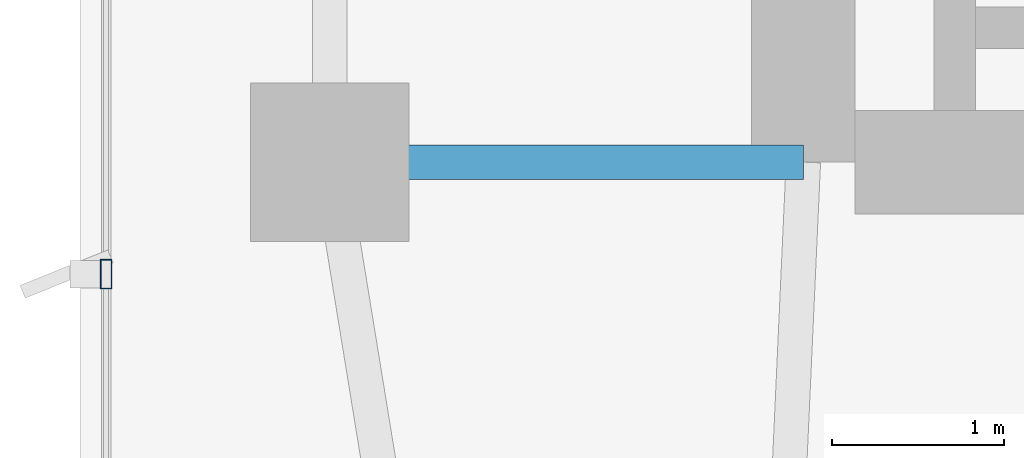
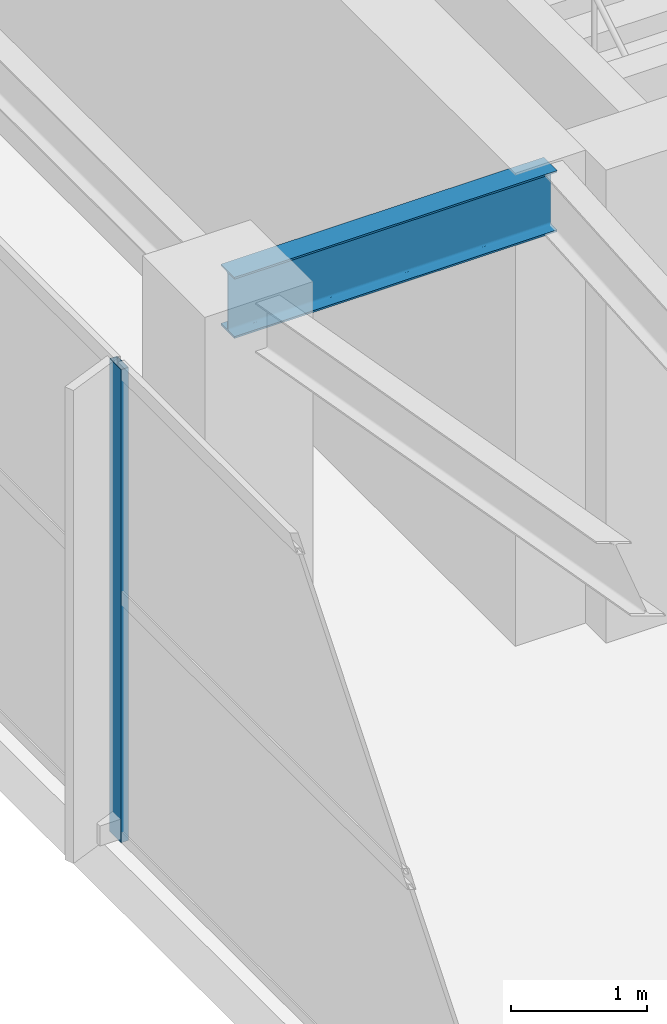
# One storey, part 5 of 25: 1 beam, 1 member, 1 element without a shape of its own.
"""IFC4 building model written with IfcOpenShell, lengths in metres."""

from ifc_helpers import new_model, si_unit, direction, frame, origin, origin_2d, place, context, subcontext, project, spatial, hollow_rectangle, i_section, extrude, material, layer, layer_set, material_profile, profile_set, type_object, element, aggregate, save


model = new_model("IFC4")

# Units and contexts
model_context = context("Model", 3, precision=1e-05, world=origin(), true_north=direction((0.0, 1.0)))
body_context = subcontext(model_context, "Body", "Model", "MODEL_VIEW")
ifc_project = project(units=[si_unit("LENGTHUNIT", "METRE"), si_unit("AREAUNIT", "SQUARE_METRE"), si_unit("VOLUMEUNIT", "CUBIC_METRE"), si_unit("PLANEANGLEUNIT", "RADIAN"), si_unit("MASSUNIT", "GRAM", prefix="KILO")], contexts=[model_context])

# Site, building, storey
site_placement = place(None, origin())
site = spatial("IfcSite", under=ifc_project, at=site_placement, CompositionType="ELEMENT")
building_placement = place(site_placement, origin())
building = spatial("IfcBuilding", under=site, at=building_placement, Name="Calvorn Quay Hotel", CompositionType="ELEMENT")
storey_placement = place(building_placement, frame((0.0, 0.0, 307.0)))
storey = spatial("IfcBuildingStorey", under=building, at=storey_placement, Name="L76", CompositionType="ELEMENT", Elevation=307.0)

# Beam
ifc_material_1 = material(Name="Steel Q355B", Category="steel")
ifc_material_profile_1 = material_profile(ifc_material_1, i_section(OverallWidth=0.199951171875, OverallDepth=0.550048828125, WebThickness=0.010009765625, FlangeThickness=0.01611328125, FilletRadius=0.01806640625, at=origin_2d()), Name="HN550x200x10x16")
ifc_profile_set_1 = profile_set([ifc_material_profile_1], Name="Steel Q355B")
beam_type = type_object("IfcBeamType", Name="BM-GIRD-UPP", PredefinedType="BEAM", material=ifc_profile_set_1)
beam_placement = place(storey_placement, frame((1.449951171875, 16.800048828125, 3.965087890625), z_axis=(1.0, 0.0, 0.0), x_axis=(0.0, 1.0, 0.0)))
element("IfcBeam", 1, at=beam_placement, inside=storey, type_object=beam_type, Name="Beam BG-L76-W1", PredefinedType="BEAM", context=body_context, shape_type="SweptSolid", body=[
    extrude(i_section(OverallWidth=0.199951171875, OverallDepth=0.550048828125, WebThickness=0.010009765625, FlangeThickness=0.01611328125, FilletRadius=0.01806640625, at=origin_2d()), origin(), (0.0, 0.0, 1.0), 2.75),
])

# Curtain wall, member
ifc_material_2 = material(Name="Champagne Bronze Anodised Aluminium and Low-E Glass", Category="aluminium")
ifc_layer = layer(ifc_material_2, 0.219970703125)
ifc_layer_set = layer_set([ifc_layer], Name="CW-SYS-Z4")
curtain_wall_type = type_object("IfcCurtainWallType", Name="CW-SYS-Z4", PredefinedType="NOTDEFINED", material=ifc_layer_set)
curtain_wall_placement = place(storey_placement, origin())
curtain_wall = element("IfcCurtainWall", 2, at=curtain_wall_placement, inside=storey, type_object=curtain_wall_type, Name="Tower West Curtain Wall (L76)", PredefinedType="NOTDEFINED")
ifc_material_3 = material(Name="Champagne Bronze Anodised Aluminium 6063-T6", Category="aluminium")
ifc_material_profile_2 = material_profile(ifc_material_3, hollow_rectangle(XDim=0.06494140625, YDim=0.169921875, WallThickness=0.00341796875, at=origin_2d()), Name="ALU-M170x65x3.5")
ifc_profile_set_2 = profile_set([ifc_material_profile_2], Name="Champagne Bronze Anodised Aluminium 6063-T6")
member_type = type_object("IfcMemberType", Name="CW-SYS-Z4-MUL", PredefinedType="MULLION", material=ifc_profile_set_2)
member_placement = place(storey_placement, frame((0.14990234375, 16.14990234375, 0.0), z_axis=(0.0, 0.0, 1.0), x_axis=(-1.0, 0.0, 0.0)))
member = element("IfcMember", 3, at=member_placement, type_object=member_type, Name="CW-L76-W mullion 2", PredefinedType="MULLION", context=body_context, shape_type="SweptSolid", body=[
    extrude(hollow_rectangle(XDim=0.06494140625, YDim=0.169921875, WallThickness=0.00341796875, at=origin_2d()), origin(), (0.0, 0.0, 1.0), 4.260009765625),
])
aggregate(curtain_wall, [member])

save(model, "model.ifc")
